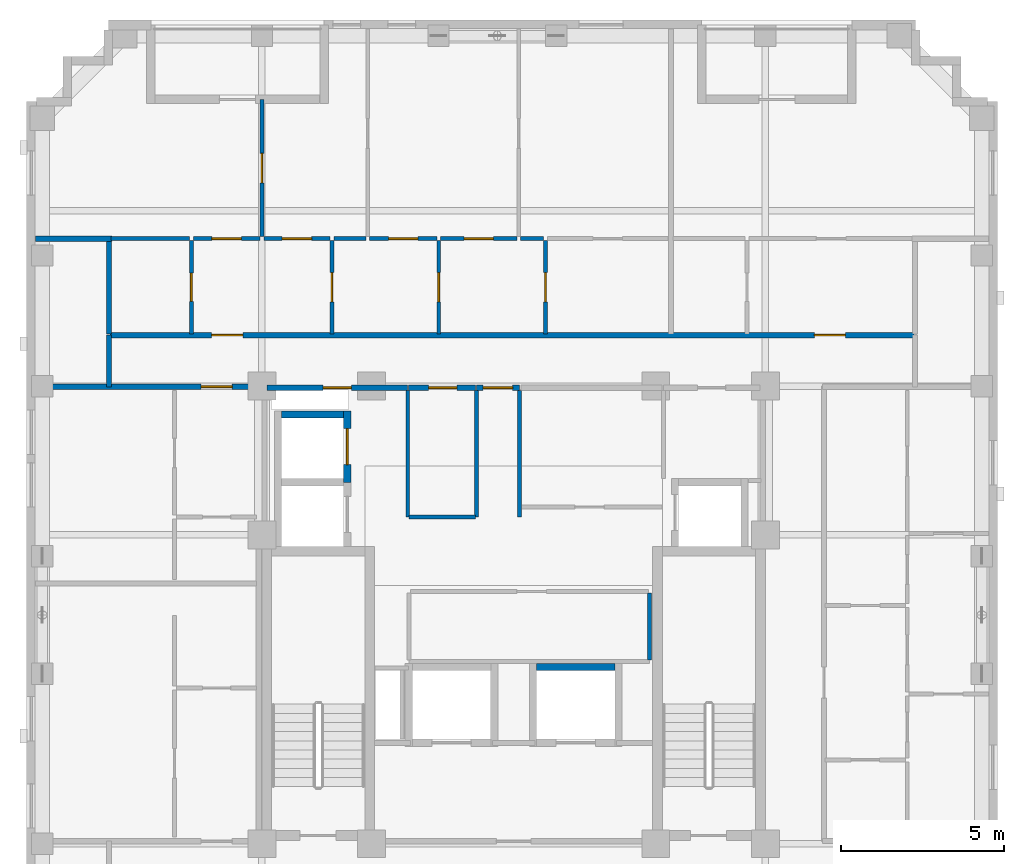
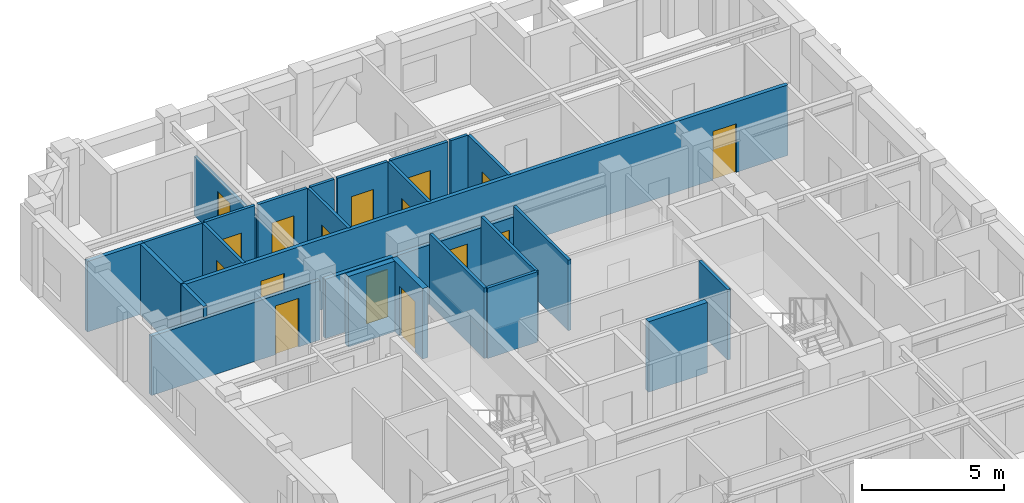
# One storey, part 5 of 10: 28 walls, 16 doors, 16 openings.
"""IFC4 building model written with IfcOpenShell, lengths in metres."""

import ifcopenshell
import ifcopenshell.guid

model = None  # the IFC model being written
_history = None  # IfcOwnerHistory: only IFC2X3 demands one
_inside = {}  # id of a spatial element -> (the spatial element, [elements in it])
_under = {}  # id of a project, library or spatial element -> (it, [spatial elements below it])
_declared = {}  # id of a project -> (the project, [libraries it declares])
_typed = {}  # id of a type object -> (the type object, [elements of that type])
_made_of = {}  # id of a material, layer set ... -> (it, [elements and type objects made of it])


def new_model(schema):
    """Start an empty IFC model of exactly this schema.

    Asked for "IFC4X3", IfcOpenShell would pick the latest addendum, in which some entities
    have other attributes; the version numbers below select the first issue.
    IFC2X3 requires an IfcOwnerHistory on every rooted entity: one is made here for all.
    """
    global model, _history
    if schema == "IFC4X3":
        model = ifcopenshell.file(schema_version=(4, 3, 0, 0))
    else:
        model = ifcopenshell.file(schema=schema)
    _inside.clear()
    _under.clear()
    _declared.clear()
    _typed.clear()
    _made_of.clear()
    _history = None
    if model.schema == "IFC2X3":
        org = make("IfcOrganization", Name="unknown")
        user = make(
            "IfcPersonAndOrganization",
            ThePerson=make("IfcPerson", FamilyName="unknown"),
            TheOrganization=org,
        )
        app = make(
            "IfcApplication",
            ApplicationDeveloper=org,
            Version="unknown",
            ApplicationFullName="unknown",
            ApplicationIdentifier="unknown",
        )
        _history = make(
            "IfcOwnerHistory",
            OwningUser=user,
            OwningApplication=app,
            ChangeAction="ADDED",
            CreationDate=0,
        )
    return model


def make(cls, **values):
    """One entity of the class cls with the attributes given. An attribute that is None is left unset."""
    return model.create_entity(
        cls, **{name: value for name, value in values.items() if value is not None}
    )


def rooted(cls, **values):
    """An entity with a GlobalId (a new one), such as an element, a storey or a relation."""
    return make(cls, GlobalId=ifcopenshell.guid.new(), OwnerHistory=_history, **values)


def si_unit(unit_type, name, prefix=None):
    """IfcSIUnit, for example si_unit("LENGTHUNIT", "METRE", prefix="MILLI")."""
    return make("IfcSIUnit", UnitType=unit_type, Prefix=prefix, Name=name)


def derived_unit(unit_type, elements):
    """IfcDerivedUnit: a product of units, each with its exponent."""
    return make(
        "IfcDerivedUnit",
        Elements=[
            make("IfcDerivedUnitElement", Unit=unit, Exponent=power)
            for unit, power in elements
        ],
        UnitType=unit_type,
    )


def assignment(units):
    """IfcUnitAssignment: the units of a project."""
    return None if units is None else make("IfcUnitAssignment", Units=units)


def point(xyz):
    """IfcCartesianPoint."""
    return None if xyz is None else make("IfcCartesianPoint", Coordinates=xyz)


def direction(xyz):
    """IfcDirection."""
    return None if xyz is None else make("IfcDirection", DirectionRatios=xyz)


def frame(location, z_axis=None, x_axis=None):
    """IfcAxis2Placement3D, a coordinate frame: its origin and axes. An axis left out is left unset."""
    return make(
        "IfcAxis2Placement3D",
        Location=point(location),
        Axis=direction(z_axis),
        RefDirection=direction(x_axis),
    )


def frame_2d(location, x_axis=None):
    """IfcAxis2Placement2D, a coordinate frame in the plane: its origin and x axis."""
    return make(
        "IfcAxis2Placement2D", Location=point(location), RefDirection=direction(x_axis)
    )


def origin():
    """The frame at (0, 0, 0) with its axes left unset."""
    return frame((0.0, 0.0, 0.0))


def place(relative_to, where):
    """IfcLocalPlacement: puts the frame where relative to a parent placement (None: the world)."""
    return make(
        "IfcLocalPlacement", PlacementRelTo=relative_to, RelativePlacement=where
    )


def context(
    kind, dimensions, precision=None, world=None, true_north=None, identifier=None
):
    """IfcGeometricRepresentationContext, for example the 3D "Model" context."""
    return make(
        "IfcGeometricRepresentationContext",
        ContextIdentifier=identifier,
        ContextType=kind,
        CoordinateSpaceDimension=dimensions,
        Precision=precision,
        WorldCoordinateSystem=world,
        TrueNorth=true_north,
    )


def subcontext(parent, identifier, kind, view, scale=None):
    """IfcGeometricRepresentationSubContext, for example "Body" below "Model"."""
    return make(
        "IfcGeometricRepresentationSubContext",
        ContextIdentifier=identifier,
        ContextType=kind,
        ParentContext=parent,
        TargetScale=scale,
        TargetView=view,
    )


def project(units=None, contexts=None):
    """IfcProject with its units and contexts."""
    return rooted(
        "IfcProject",
        Name="project",
        RepresentationContexts=contexts,
        UnitsInContext=assignment(units),
    )


def spatial(cls, under=None, at=None, **own):
    """A site, building, storey or space (cls), placed at a placement, below another one or the project."""
    s = rooted(cls, ObjectPlacement=at, **own)
    if under is not None:
        _under.setdefault(under.id(), (under, []))[1].append(s)
    return s


def profile(cls, at=None, kind="AREA", **sizes):
    """A parametric profile (cls). Its sizes go by their IFC names, for example OverallWidth=200.0."""
    return make(cls, ProfileType=kind, Position=at, **sizes)


def rectangle(**sizes):
    """IfcRectangleProfileDef."""
    return profile("IfcRectangleProfileDef", **sizes)


def extrude(swept, where, along, depth):
    """IfcExtrudedAreaSolid: the profile swept, set in the frame where, extruded along a direction by depth."""
    return make(
        "IfcExtrudedAreaSolid",
        SweptArea=swept,
        Position=where,
        ExtrudedDirection=direction(along),
        Depth=depth,
    )


def shape(context_of_items, identifier, shape_type, items):
    """IfcShapeRepresentation: the items that make up one representation, for example the "Body"."""
    return make(
        "IfcShapeRepresentation",
        ContextOfItems=context_of_items,
        RepresentationIdentifier=identifier,
        RepresentationType=shape_type,
        Items=items,
    )


def material(Name=None, Category=None):
    """IfcMaterial."""
    return make("IfcMaterial", Name=Name, Category=Category)


def layer(
    of_material, thickness, ventilated=None, Name=None, Category=None, Priority=None
):
    """IfcMaterialLayer: one layer of a wall or slab, of a material (None: an air gap)."""
    return make(
        "IfcMaterialLayer",
        Material=of_material,
        LayerThickness=thickness,
        IsVentilated=ventilated,
        Name=Name,
        Category=Category,
        Priority=Priority,
    )


def layer_set(layers, Name=None):
    """IfcMaterialLayerSet."""
    return make("IfcMaterialLayerSet", MaterialLayers=layers, LayerSetName=Name)


def made_of(thing, what):
    """Note that an element or type object is made of a material, layer set ...; save() writes the relation."""
    if what is not None:
        _made_of.setdefault(what.id(), (what, []))[1].append(thing)
    return thing


def type_object(cls, material=None, **own):
    """A type object (cls), such as IfcWallType, which elements share."""
    return made_of(rooted(cls, **own), material)


def element(
    cls,
    number,
    at=None,
    inside=None,
    cuts=None,
    type_object=None,
    material=None,
    context=None,
    identifier="Body",
    shape_type=None,
    held_by="IfcProductDefinitionShape",
    body=None,
    shapes=None,
    **own,
):
    """One element of the class cls, such as IfcWall. Its Tag is "e" and its number.

    at: its placement. inside: the storey or other place that contains it. cuts: it is an
    opening in that element (IfcRelVoidsElement). A single representation is given by context,
    identifier, shape_type and body (its items); several are given by shapes. held_by: the class
    of the entity that holds the representations. save() writes the other relations.
    """
    e = rooted(cls, Tag="e%d" % number, ObjectPlacement=at, **own)
    if body is not None:
        shapes = [shape(context, identifier, shape_type, body)]
    if shapes is not None:
        e.Representation = make(held_by, Representations=shapes)
    if inside is not None:
        _inside.setdefault(inside.id(), (inside, []))[1].append(e)
    if cuts is not None:
        rooted(
            "IfcRelVoidsElement", RelatingBuildingElement=cuts, RelatedOpeningElement=e
        )
    if type_object is not None:
        _typed.setdefault(type_object.id(), (type_object, []))[1].append(e)
    return made_of(e, material)


def fill(opening, filler):
    """IfcRelFillsElement: the door or window that sits in an opening."""
    return rooted(
        "IfcRelFillsElement",
        RelatingOpeningElement=opening,
        RelatedBuildingElement=filler,
    )


def aggregate(whole, parts):
    """IfcRelAggregates: a whole, such as a stair, and the parts it consists of."""
    return rooted("IfcRelAggregates", RelatingObject=whole, RelatedObjects=parts)


def save(model, path):
    """Write the relations noted so far, then the file.

    IfcRelAggregates (storeys below a building ...), IfcRelContainedInSpatialStructure (elements
    in a storey), IfcRelDefinesByType, IfcRelAssociatesMaterial and IfcRelDeclares: one each for
    every whole, place, type object, material and project.
    """
    for whole, parts in _under.values():
        aggregate(whole, parts)
    for where, things in _inside.values():
        rooted(
            "IfcRelContainedInSpatialStructure",
            RelatedElements=things,
            RelatingStructure=where,
        )
    for kind, things in _typed.values():
        rooted("IfcRelDefinesByType", RelatedObjects=things, RelatingType=kind)
    for what, things in _made_of.values():
        rooted("IfcRelAssociatesMaterial", RelatedObjects=things, RelatingMaterial=what)
    for by, libraries in _declared.values():
        rooted("IfcRelDeclares", RelatingContext=by, RelatedDefinitions=libraries)
    model.write(path)


model = new_model("IFC4")

# Units and contexts
model_context = context("Model", 3, precision=1e-05, world=origin(), true_north=direction((0.0, 1.0)))
body_context = subcontext(model_context, "Body", "Model", "MODEL_VIEW")
ifc_project = project(units=[si_unit("LENGTHUNIT", "METRE"), si_unit("AREAUNIT", "SQUARE_METRE"), si_unit("VOLUMEUNIT", "CUBIC_METRE"), si_unit("PLANEANGLEUNIT", "RADIAN"), si_unit("MASSUNIT", "GRAM", prefix="KILO"), derived_unit("THERMALTRANSMITTANCEUNIT", [(si_unit("MASSUNIT", "GRAM", prefix="KILO"), 1), (si_unit("TIMEUNIT", "SECOND"), -3), (si_unit("THERMODYNAMICTEMPERATUREUNIT", "KELVIN"), -1)])], contexts=[model_context])

# Site, building, storey
site_placement = place(None, origin())
site = spatial("IfcSite", under=ifc_project, at=site_placement, CompositionType="ELEMENT")
building_placement = place(site_placement, origin())
building = spatial("IfcBuilding", under=site, at=building_placement, Name="Korrvale Station Residences", CompositionType="ELEMENT")
storey_placement = place(building_placement, frame((0.0, 0.0, 207.39990234375)))
storey = spatial("IfcBuildingStorey", under=building, at=storey_placement, Name="L60", CompositionType="ELEMENT", Elevation=207.39990234375)

# Walls
ifc_material_1 = material(Name="Acoustic steel-stud gypsum board partition", Category="steel")
ifc_layer_1 = layer(ifc_material_1, 0.1201171875, Name="Acoustic steel-stud gypsum board partition")
ifc_layer_set_1 = layer_set([ifc_layer_1], Name="Acoustic steel-stud gypsum board partition")
wall_type_1 = type_object("IfcWallType", Name="WAL-PART-125", PredefinedType="PARTITIONING", material=ifc_layer_set_1)
for number, where, z_axis, x_axis, name in (
    (1, (24.360107421875, 25.0, 0.0), (0.0, 0.0, 1.0), (0.0, 1.0, 0.0), "L60 Core Partition CW-PSG-W"),
    (2, (25.679931640625, 25.0, 0.0), (0.0, 0.0, 1.0), (0.0, 1.0, 0.0), "L60 Core Partition CW-PSG-E"),
):
    element("IfcWall", number, at=place(storey_placement, frame(where, z_axis=z_axis, x_axis=x_axis)), inside=storey, type_object=wall_type_1, Name=name, PredefinedType="PARTITIONING", context=body_context, shape_type="SweptSolid", body=[
        extrude(rectangle(XDim=3.8701171875, YDim=0.1201171875, at=frame_2d((1.93505859375, 0.0))), origin(), (0.0, 0.0, 1.0), 3.0400390625),
    ])
wall_1_placement = place(storey_placement, frame((22.260009765625, 25.0, 0.0), z_axis=(0.0, 0.0, 1.0), x_axis=(0.0, 1.0, 0.0)))
element("IfcWall", 3, at=wall_1_placement, inside=storey, type_object=wall_type_1, Name="L60 Core Partition CW-FPLW-W", PredefinedType="PARTITIONING", context=body_context, shape_type="SweptSolid", body=[
    extrude(rectangle(XDim=3.860107421875, YDim=0.1201171875, at=frame_2d((1.93017578125, 0.0))), origin(), (0.0, 0.0, 1.0), 3.0400390625),
])
wall_2_placement = place(storey_placement, frame((22.300048828125, 25.0, 0.0), z_axis=(0.0, 0.0, 1.0), x_axis=(1.0, 0.0, 0.0)))
element("IfcWall", 4, at=wall_2_placement, inside=storey, type_object=wall_type_1, Name="L60 Core Partition CW-FPLW-S", PredefinedType="PARTITIONING", context=body_context, shape_type="SweptSolid", body=[
    extrude(rectangle(XDim=2.0400390625, YDim=0.1201171875, at=frame_2d((1.02001953125, 0.0))), origin(), (0.0, 0.0, 1.0), 3.0400390625),
])
wall_3_placement = place(storey_placement, frame((29.659912109375, 20.6201171875, 0.0), z_axis=(0.0, 0.0, 1.0), x_axis=(0.0, 1.0, 0.0)))
element("IfcWall", 5, at=wall_3_placement, inside=storey, type_object=wall_type_1, Name="L60 Core Partition CW-FPM-E", PredefinedType="PARTITIONING", context=body_context, shape_type="SweptSolid", body=[
    extrude(rectangle(XDim=2.059814453125, YDim=0.1201171875, at=frame_2d((1.02978515625, 0.0))), origin(), (0.0, 0.0, 1.0), 3.0400390625),
])

# Wall, opening, door
wall_4_placement = place(storey_placement, frame((15.639892578125, 30.60009765625, 0.0), z_axis=(0.0, 0.0, 1.0), x_axis=(0.0, 1.0, 0.0)))
wall_4 = element("IfcWall", 6, at=wall_4_placement, inside=storey, type_object=wall_type_1, Name="L60 Suite Partition U04-V01", PredefinedType="PARTITIONING", context=body_context, shape_type="SweptSolid", body=[
    extrude(rectangle(XDim=2.849853515625, YDim=0.1201171875, at=frame_2d((1.4248046875, 0.0))), origin(), (0.0, 0.0, 1.0), 3.0400390625),
])
opening_1_placement = place(wall_4_placement, frame((0.9951171875, 0.0, 0.0)))
opening_1 = element("IfcOpeningElement", 7, at=opening_1_placement, cuts=wall_4, Name="Opening DB-860", PredefinedType="OPENING", context=body_context, shape_type="SweptSolid", body=[
    extrude(rectangle(XDim=0.860107421875, YDim=2.050048828125, at=frame_2d((0.43017578125, 1.02490234375))), frame((0.0, 0.070068359375, 0.0), z_axis=(0.0, -1.0, 0.0), x_axis=(1.0, 0.0, 0.0)), (0.0, 0.0, 1.0), 0.14013671875),
])
ifc_material_2 = material(Name="Moisture-resistant solid-core bathroom door", Category="timber")
door_type_1 = type_object("IfcDoorType", Name="DR-BATH-860", OperationType="NOTDEFINED", PredefinedType="DOOR", material=ifc_material_2)
door_1_placement = place(opening_1_placement, origin())
door_1 = element("IfcDoor", 8, at=door_1_placement, inside=storey, type_object=door_type_1, Name="L60 Apartment 2BR L60-U04 Bathroom Door", OperationType="SINGLE_SWING_LEFT", OverallHeight=2.050048828125, OverallWidth=0.860107421875, PredefinedType="DOOR", context=body_context, shape_type="SweptSolid", body=[
    extrude(rectangle(XDim=0.860107421875, YDim=2.050048828125, at=frame_2d((0.43017578125, 1.02490234375))), frame((0.0, 0.02490234375, 0.0), z_axis=(0.0, -1.0, 0.0), x_axis=(1.0, 0.0, 0.0)), (0.0, 0.0, 1.0), 0.050048828125),
])
fill(opening_1, door_1)

# Wall
wall_5_placement = place(storey_placement, frame((13.179931640625, 33.510009765625, 0.0), z_axis=(0.0, 0.0, 1.0), x_axis=(1.0, 0.0, 0.0)))
element("IfcWall", 9, at=wall_5_placement, inside=storey, type_object=wall_type_1, Name="L60 Suite Partition U04-H05", PredefinedType="PARTITIONING", context=body_context, shape_type="SweptSolid", body=[
    extrude(rectangle(XDim=2.400146484375, YDim=0.1201171875, at=frame_2d((1.2001953125, 0.0))), origin(), (0.0, 0.0, 1.0), 3.0400390625),
])

# Wall, opening, door
wall_6_placement = place(storey_placement, frame((19.93994140625, 30.60009765625, 0.0), z_axis=(0.0, 0.0, 1.0), x_axis=(0.0, 1.0, 0.0)))
wall_6 = element("IfcWall", 10, at=wall_6_placement, inside=storey, type_object=wall_type_1, Name="L60 Suite Partition U04-V12", PredefinedType="PARTITIONING", context=body_context, shape_type="SweptSolid", body=[
    extrude(rectangle(XDim=2.849853515625, YDim=0.1201171875, at=frame_2d((1.4248046875, 0.0))), origin(), (0.0, 0.0, 1.0), 3.0400390625),
])
opening_2_placement = place(wall_6_placement, frame((0.97509765625, 0.0, 0.0)))
opening_2 = element("IfcOpeningElement", 11, at=opening_2_placement, cuts=wall_6, Name="Opening DI-900", PredefinedType="OPENING", context=body_context, shape_type="SweptSolid", body=[
    extrude(rectangle(XDim=0.89990234375, YDim=2.050048828125, at=frame_2d((0.449951171875, 1.02490234375))), frame((0.0, 0.070068359375, 0.0), z_axis=(0.0, -1.0, 0.0), x_axis=(1.0, 0.0, 0.0)), (0.0, 0.0, 1.0), 0.14013671875),
])
ifc_material_3 = material(Name="Painted solid-core timber interior room door", Category="wood")
door_type_2 = type_object("IfcDoorType", Name="DR-INT-900", OperationType="NOTDEFINED", PredefinedType="DOOR", material=ifc_material_3)
door_2_placement = place(opening_2_placement, origin())
door_2 = element("IfcDoor", 12, at=door_2_placement, inside=storey, type_object=door_type_2, Name="L60 Apartment 2BR L60-U04 Kitchen Door", OperationType="SINGLE_SWING_RIGHT", OverallHeight=2.050048828125, OverallWidth=0.89990234375, PredefinedType="DOOR", context=body_context, shape_type="SweptSolid", body=[
    extrude(rectangle(XDim=0.89990234375, YDim=2.050048828125, at=frame_2d((0.449951171875, 1.02490234375))), frame((0.0, 0.02490234375, 0.0), z_axis=(0.0, -1.0, 0.0), x_axis=(1.0, 0.0, 0.0)), (0.0, 0.0, 1.0), 0.050048828125),
])
fill(opening_2, door_2)

wall_7_placement = place(storey_placement, frame((15.699951171875, 33.510009765625, 0.0), z_axis=(0.0, 0.0, 1.0), x_axis=(1.0, 0.0, 0.0)))
wall_7 = element("IfcWall", 13, at=wall_7_placement, inside=storey, type_object=wall_type_1, Name="L60 Suite Partition U04-H15", PredefinedType="PARTITIONING", context=body_context, shape_type="SweptSolid", body=[
    extrude(rectangle(XDim=2.0400390625, YDim=0.1201171875, at=frame_2d((1.02001953125, 0.0))), origin(), (0.0, 0.0, 1.0), 3.0400390625),
])
opening_3_placement = place(wall_7_placement, frame((0.570068359375, 0.0, 0.0)))
opening_3 = element("IfcOpeningElement", 14, at=opening_3_placement, cuts=wall_7, Name="Opening DI-900", PredefinedType="OPENING", context=body_context, shape_type="SweptSolid", body=[
    extrude(rectangle(XDim=0.89990234375, YDim=2.050048828125, at=frame_2d((0.449951171875, 1.02490234375))), frame((0.0, 0.070068359375, 0.0), z_axis=(0.0, -1.0, 0.0), x_axis=(1.0, 0.0, 0.0)), (0.0, 0.0, 1.0), 0.14013671875),
])
door_3_placement = place(opening_3_placement, origin())
door_3 = element("IfcDoor", 15, at=door_3_placement, inside=storey, type_object=door_type_2, Name="L60 Apartment 2BR L60-U04 Kitchen Door", OperationType="SINGLE_SWING_LEFT", OverallHeight=2.050048828125, OverallWidth=0.89990234375, PredefinedType="DOOR", context=body_context, shape_type="SweptSolid", body=[
    extrude(rectangle(XDim=0.89990234375, YDim=2.050048828125, at=frame_2d((0.449951171875, 1.02490234375))), frame((0.0, 0.02490234375, 0.0), z_axis=(0.0, -1.0, 0.0), x_axis=(1.0, 0.0, 0.0)), (0.0, 0.0, 1.0), 0.050048828125),
])
fill(opening_3, door_3)

wall_8_placement = place(storey_placement, frame((17.860107421875, 33.510009765625, 0.0), z_axis=(0.0, 0.0, 1.0), x_axis=(1.0, 0.0, 0.0)))
wall_8 = element("IfcWall", 16, at=wall_8_placement, inside=storey, type_object=wall_type_1, Name="L60 Suite Partition U04-H16", PredefinedType="PARTITIONING", context=body_context, shape_type="SweptSolid", body=[
    extrude(rectangle(XDim=2.019775390625, YDim=0.1201171875, at=frame_2d((1.009765625, 0.0))), origin(), (0.0, 0.0, 1.0), 3.0400390625),
])
opening_4_placement = place(wall_8_placement, frame((0.56005859375, 0.0, 0.0)))
opening_4 = element("IfcOpeningElement", 17, at=opening_4_placement, cuts=wall_8, Name="Opening DI-900", PredefinedType="OPENING", context=body_context, shape_type="SweptSolid", body=[
    extrude(rectangle(XDim=0.89990234375, YDim=2.050048828125, at=frame_2d((0.449951171875, 1.02490234375))), frame((0.0, 0.070068359375, 0.0), z_axis=(0.0, -1.0, 0.0), x_axis=(1.0, 0.0, 0.0)), (0.0, 0.0, 1.0), 0.14013671875),
])
door_4_placement = place(opening_4_placement, origin())
door_4 = element("IfcDoor", 18, at=door_4_placement, inside=storey, type_object=door_type_2, Name="L60 Apartment 2BR L60-U04 Kitchen Door", OperationType="SINGLE_SWING_RIGHT", OverallHeight=2.050048828125, OverallWidth=0.89990234375, PredefinedType="DOOR", context=body_context, shape_type="SweptSolid", body=[
    extrude(rectangle(XDim=0.89990234375, YDim=2.050048828125, at=frame_2d((0.449951171875, 1.02490234375))), frame((0.0, 0.02490234375, 0.0), z_axis=(0.0, -1.0, 0.0), x_axis=(1.0, 0.0, 0.0)), (0.0, 0.0, 1.0), 0.050048828125),
])
fill(opening_4, door_4)

wall_9_placement = place(storey_placement, frame((23.2099609375, 30.60009765625, 0.0), z_axis=(0.0, 0.0, 1.0), x_axis=(0.0, 1.0, 0.0)))
wall_9 = element("IfcWall", 19, at=wall_9_placement, inside=storey, type_object=wall_type_1, Name="L60 Suite Partition U04-V23", PredefinedType="PARTITIONING", context=body_context, shape_type="SweptSolid", body=[
    extrude(rectangle(XDim=2.849853515625, YDim=0.1201171875, at=frame_2d((1.4248046875, 0.0))), origin(), (0.0, 0.0, 1.0), 3.0400390625),
])
opening_5_placement = place(wall_9_placement, frame((0.97509765625, 0.0, 0.0)))
opening_5 = element("IfcOpeningElement", 20, at=opening_5_placement, cuts=wall_9, Name="Opening DI-900", PredefinedType="OPENING", context=body_context, shape_type="SweptSolid", body=[
    extrude(rectangle(XDim=0.89990234375, YDim=2.050048828125, at=frame_2d((0.449951171875, 1.02490234375))), frame((0.0, 0.070068359375, 0.0), z_axis=(0.0, -1.0, 0.0), x_axis=(1.0, 0.0, 0.0)), (0.0, 0.0, 1.0), 0.14013671875),
])
door_5_placement = place(opening_5_placement, origin())
door_5 = element("IfcDoor", 21, at=door_5_placement, inside=storey, type_object=door_type_2, Name="L60 Apartment 2BR L60-U04 Home Study Room Door", OperationType="SINGLE_SWING_LEFT", OverallHeight=2.050048828125, OverallWidth=0.89990234375, PredefinedType="DOOR", context=body_context, shape_type="SweptSolid", body=[
    extrude(rectangle(XDim=0.89990234375, YDim=2.050048828125, at=frame_2d((0.449951171875, 1.02490234375))), frame((0.0, 0.02490234375, 0.0), z_axis=(0.0, -1.0, 0.0), x_axis=(1.0, 0.0, 0.0)), (0.0, 0.0, 1.0), 0.050048828125),
])
fill(opening_5, door_5)

# Wall
wall_10_placement = place(storey_placement, frame((20.0, 33.510009765625, 0.0), z_axis=(0.0, 0.0, 1.0), x_axis=(1.0, 0.0, 0.0)))
element("IfcWall", 22, at=wall_10_placement, inside=storey, type_object=wall_type_1, Name="L60 Suite Partition U04-H26", PredefinedType="PARTITIONING", context=body_context, shape_type="SweptSolid", body=[
    extrude(rectangle(XDim=0.97705078125, YDim=0.1201171875, at=frame_2d((0.488525390625, 0.0))), origin(), (0.0, 0.0, 1.0), 3.0400390625),
])

# Wall, opening, door
wall_11_placement = place(storey_placement, frame((21.096923828125, 33.510009765625, 0.0), z_axis=(0.0, 0.0, 1.0), x_axis=(1.0, 0.0, 0.0)))
wall_11 = element("IfcWall", 23, at=wall_11_placement, inside=storey, type_object=wall_type_1, Name="L60 Suite Partition U04-H27", PredefinedType="PARTITIONING", context=body_context, shape_type="SweptSolid", body=[
    extrude(rectangle(XDim=2.052978515625, YDim=0.1201171875, at=frame_2d((1.0263671875, 0.0))), origin(), (0.0, 0.0, 1.0), 3.0400390625),
])
opening_6_placement = place(wall_11_placement, frame((0.575927734375, 0.0, 0.0)))
opening_6 = element("IfcOpeningElement", 24, at=opening_6_placement, cuts=wall_11, Name="Opening DI-900", PredefinedType="OPENING", context=body_context, shape_type="SweptSolid", body=[
    extrude(rectangle(XDim=0.89990234375, YDim=2.050048828125, at=frame_2d((0.449951171875, 1.02490234375))), frame((0.0, 0.070068359375, 0.0), z_axis=(0.0, -1.0, 0.0), x_axis=(1.0, 0.0, 0.0)), (0.0, 0.0, 1.0), 0.14013671875),
])
door_6_placement = place(opening_6_placement, origin())
door_6 = element("IfcDoor", 25, at=door_6_placement, inside=storey, type_object=door_type_2, Name="L60 Apartment 2BR L60-U04 Home Study Room Door", OperationType="SINGLE_SWING_RIGHT", OverallHeight=2.050048828125, OverallWidth=0.89990234375, PredefinedType="DOOR", context=body_context, shape_type="SweptSolid", body=[
    extrude(rectangle(XDim=0.89990234375, YDim=2.050048828125, at=frame_2d((0.449951171875, 1.02490234375))), frame((0.0, 0.02490234375, 0.0), z_axis=(0.0, -1.0, 0.0), x_axis=(1.0, 0.0, 0.0)), (0.0, 0.0, 1.0), 0.050048828125),
])
fill(opening_6, door_6)

wall_12_placement = place(storey_placement, frame((26.47998046875, 30.60009765625, 0.0), z_axis=(0.0, 0.0, 1.0), x_axis=(0.0, 1.0, 0.0)))
wall_12 = element("IfcWall", 26, at=wall_12_placement, inside=storey, type_object=wall_type_1, Name="L60 Suite Partition U04-V34", PredefinedType="PARTITIONING", context=body_context, shape_type="SweptSolid", body=[
    extrude(rectangle(XDim=2.849853515625, YDim=0.1201171875, at=frame_2d((1.4248046875, 0.0))), origin(), (0.0, 0.0, 1.0), 3.0400390625),
])
opening_7_placement = place(wall_12_placement, frame((0.97509765625, 0.0, 0.0)))
opening_7 = element("IfcOpeningElement", 27, at=opening_7_placement, cuts=wall_12, Name="Opening DI-900", PredefinedType="OPENING", context=body_context, shape_type="SweptSolid", body=[
    extrude(rectangle(XDim=0.89990234375, YDim=2.050048828125, at=frame_2d((0.449951171875, 1.02490234375))), frame((0.0, 0.070068359375, 0.0), z_axis=(0.0, -1.0, 0.0), x_axis=(1.0, 0.0, 0.0)), (0.0, 0.0, 1.0), 0.14013671875),
])
door_7_placement = place(opening_7_placement, origin())
door_7 = element("IfcDoor", 28, at=door_7_placement, inside=storey, type_object=door_type_2, Name="L60 Apartment 2BR L60-U04 Home Study Room Door", OperationType="SINGLE_SWING_LEFT", OverallHeight=2.050048828125, OverallWidth=0.89990234375, PredefinedType="DOOR", context=body_context, shape_type="SweptSolid", body=[
    extrude(rectangle(XDim=0.89990234375, YDim=2.050048828125, at=frame_2d((0.449951171875, 1.02490234375))), frame((0.0, 0.02490234375, 0.0), z_axis=(0.0, -1.0, 0.0), x_axis=(1.0, 0.0, 0.0)), (0.0, 0.0, 1.0), 0.050048828125),
])
fill(opening_7, door_7)

wall_13_placement = place(storey_placement, frame((23.27001953125, 33.510009765625, 0.0), z_axis=(0.0, 0.0, 1.0), x_axis=(1.0, 0.0, 0.0)))
wall_13 = element("IfcWall", 29, at=wall_13_placement, inside=storey, type_object=wall_type_1, Name="L60 Suite Partition U04-H37", PredefinedType="PARTITIONING", context=body_context, shape_type="SweptSolid", body=[
    extrude(rectangle(XDim=2.326904296875, YDim=0.1201171875, at=frame_2d((1.16357421875, 0.0))), origin(), (0.0, 0.0, 1.0), 3.0400390625),
])
opening_8_placement = place(wall_13_placement, frame((0.714111328125, 0.0, 0.0)))
opening_8 = element("IfcOpeningElement", 30, at=opening_8_placement, cuts=wall_13, Name="Opening DI-900", PredefinedType="OPENING", context=body_context, shape_type="SweptSolid", body=[
    extrude(rectangle(XDim=0.89990234375, YDim=2.050048828125, at=frame_2d((0.449951171875, 1.02490234375))), frame((0.0, 0.070068359375, 0.0), z_axis=(0.0, -1.0, 0.0), x_axis=(1.0, 0.0, 0.0)), (0.0, 0.0, 1.0), 0.14013671875),
])
door_8_placement = place(opening_8_placement, origin())
door_8 = element("IfcDoor", 31, at=door_8_placement, inside=storey, type_object=door_type_2, Name="L60 Apartment 2BR L60-U04 Home Study Room Door", OperationType="SINGLE_SWING_RIGHT", OverallHeight=2.050048828125, OverallWidth=0.89990234375, PredefinedType="DOOR", context=body_context, shape_type="SweptSolid", body=[
    extrude(rectangle(XDim=0.89990234375, YDim=2.050048828125, at=frame_2d((0.449951171875, 1.02490234375))), frame((0.0, 0.02490234375, 0.0), z_axis=(0.0, -1.0, 0.0), x_axis=(1.0, 0.0, 0.0)), (0.0, 0.0, 1.0), 0.050048828125),
])
fill(opening_8, door_8)

# Wall
wall_14_placement = place(storey_placement, frame((25.717041015625, 33.510009765625, 0.0), z_axis=(0.0, 0.0, 1.0), x_axis=(1.0, 0.0, 0.0)))
element("IfcWall", 32, at=wall_14_placement, inside=storey, type_object=wall_type_1, Name="L60 Suite Partition U04-H38", PredefinedType="PARTITIONING", context=body_context, shape_type="SweptSolid", body=[
    extrude(rectangle(XDim=0.702880859375, YDim=0.1201171875, at=frame_2d((0.3515625, 0.0))), origin(), (0.0, 0.0, 1.0), 3.0400390625),
])

# Wall, opening, door
wall_15_placement = place(storey_placement, frame((17.800048828125, 33.570068359375, 0.0), z_axis=(0.0, 0.0, 1.0), x_axis=(0.0, 1.0, 0.0)))
wall_15 = element("IfcWall", 33, at=wall_15_placement, inside=storey, type_object=wall_type_1, Name="L60 Suite Partition U04-V56", PredefinedType="PARTITIONING", context=body_context, shape_type="SweptSolid", body=[
    extrude(rectangle(XDim=4.199951171875, YDim=0.1201171875, at=frame_2d((2.10009765625, 0.0))), origin(), (0.0, 0.0, 1.0), 2.55615234375),
])
opening_9_placement = place(wall_15_placement, frame((1.64990234375, 0.0, 0.0)))
opening_9 = element("IfcOpeningElement", 34, at=opening_9_placement, cuts=wall_15, Name="Opening DI-900", PredefinedType="OPENING", context=body_context, shape_type="SweptSolid", body=[
    extrude(rectangle(XDim=0.89990234375, YDim=2.050048828125, at=frame_2d((0.449951171875, 1.02490234375))), frame((0.0, 0.070068359375, 0.0), z_axis=(0.0, -1.0, 0.0), x_axis=(1.0, 0.0, 0.0)), (0.0, 0.0, 1.0), 0.14013671875),
])
door_9_placement = place(opening_9_placement, origin())
door_9 = element("IfcDoor", 35, at=door_9_placement, inside=storey, type_object=door_type_2, Name="L60 Apartment 2BR L60-U04 Living and Dining Room Door", OperationType="SINGLE_SWING_RIGHT", OverallHeight=2.050048828125, OverallWidth=0.89990234375, PredefinedType="DOOR", context=body_context, shape_type="SweptSolid", body=[
    extrude(rectangle(XDim=0.89990234375, YDim=2.050048828125, at=frame_2d((0.449951171875, 1.02490234375))), frame((0.0, 0.02490234375, 0.0), z_axis=(0.0, -1.0, 0.0), x_axis=(1.0, 0.0, 0.0)), (0.0, 0.0, 1.0), 0.050048828125),
])
fill(opening_9, door_9)

ifc_material_4 = material(Name="Fire-rated twin-stud gypsum and mineral wool shaftwall assembly", Category="gypsum")
ifc_layer_2 = layer(ifc_material_4, 0.159912109375, Name="Fire-rated twin-stud gypsum and mineral wool shaftwall assembly")
ifc_layer_set_2 = layer_set([ifc_layer_2], Name="Fire-rated twin-stud gypsum and mineral wool shaftwall assembly")
wall_type_2 = type_object("IfcWallType", Name="WAL-PART-200", PredefinedType="PARTITIONING", material=ifc_layer_set_2)
wall_16_placement = place(storey_placement, frame((24.360107421875, 28.949951171875, 0.0), z_axis=(0.0, 0.0, 1.0), x_axis=(1.0, 0.0, 0.0)))
wall_16 = element("IfcWall", 36, at=wall_16_placement, inside=storey, type_object=wall_type_2, Name="L60 Core Partition CW-LLOB-N", PredefinedType="PARTITIONING", context=body_context, shape_type="SweptSolid", body=[
    extrude(rectangle(XDim=1.31982421875, YDim=0.159912109375, at=frame_2d((0.659912109375, 0.0))), origin(), (0.0, 0.0, 1.0), 2.55615234375),
])
opening_10_placement = place(wall_16_placement, frame((0.2099609375, 0.0, 0.0)))
opening_10 = element("IfcOpeningElement", 37, at=opening_10_placement, cuts=wall_16, Name="Opening DI-900", PredefinedType="OPENING", context=body_context, shape_type="SweptSolid", body=[
    extrude(rectangle(XDim=0.89990234375, YDim=2.050048828125, at=frame_2d((0.449951171875, 1.02490234375))), frame((0.0, 0.08984375, 0.0), z_axis=(0.0, -1.0, 0.0), x_axis=(1.0, 0.0, 0.0)), (0.0, 0.0, 1.0), 0.179931640625),
])
door_10_placement = place(opening_10_placement, origin())
door_10 = element("IfcDoor", 38, at=door_10_placement, inside=storey, type_object=door_type_2, Name="L60 Central Hallway North Passage Door", OperationType="SINGLE_SWING_LEFT", OverallHeight=2.050048828125, OverallWidth=0.89990234375, PredefinedType="DOOR", context=body_context, shape_type="SweptSolid", body=[
    extrude(rectangle(XDim=0.89990234375, YDim=2.050048828125, at=frame_2d((0.449951171875, 1.02490234375))), frame((0.0, 0.02490234375, 0.0), z_axis=(0.0, -1.0, 0.0), x_axis=(1.0, 0.0, 0.0)), (0.0, 0.0, 1.0), 0.050048828125),
])
fill(opening_10, door_10)

wall_17_placement = place(storey_placement, frame((17.9599609375, 28.949951171875, 0.0), z_axis=(0.0, 0.0, 1.0), x_axis=(1.0, 0.0, 0.0)))
wall_17 = element("IfcWall", 39, at=wall_17_placement, inside=storey, type_object=wall_type_2, Name="L60 Core Partition CW-NW", PredefinedType="PARTITIONING", context=body_context, shape_type="SweptSolid", body=[
    extrude(rectangle(XDim=4.2900390625, YDim=0.159912109375, at=frame_2d((2.14501953125, 0.0))), origin(), (0.0, 0.0, 1.0), 2.55615234375),
])
opening_11_placement = place(wall_17_placement, frame((1.715087890625, 0.0, 0.0)))
opening_11 = element("IfcOpeningElement", 40, at=opening_11_placement, cuts=wall_17, Name="Opening DB-860", PredefinedType="OPENING", context=body_context, shape_type="SweptSolid", body=[
    extrude(rectangle(XDim=0.860107421875, YDim=2.050048828125, at=frame_2d((0.43017578125, 1.02490234375))), frame((0.0, 0.08984375, 0.0), z_axis=(0.0, -1.0, 0.0), x_axis=(1.0, 0.0, 0.0)), (0.0, 0.0, 1.0), 0.179931640625),
])
door_11_placement = place(opening_11_placement, origin())
door_11 = element("IfcDoor", 41, at=door_11_placement, inside=storey, type_object=door_type_1, Name="L60 Electrical Riser Access Door", OperationType="SINGLE_SWING_RIGHT", OverallHeight=2.050048828125, OverallWidth=0.860107421875, PredefinedType="DOOR", context=body_context, shape_type="SweptSolid", body=[
    extrude(rectangle(XDim=0.860107421875, YDim=2.050048828125, at=frame_2d((0.43017578125, 1.02490234375))), frame((0.0, 0.02490234375, 0.0), z_axis=(0.0, -1.0, 0.0), x_axis=(1.0, 0.0, 0.0)), (0.0, 0.0, 1.0), 0.050048828125),
])
fill(opening_11, door_11)

wall_18_placement = place(storey_placement, frame((22.280029296875, 28.949951171875, 0.0), z_axis=(0.0, 0.0, 1.0), x_axis=(1.0, 0.0, 0.0)))
wall_18 = element("IfcWall", 42, at=wall_18_placement, inside=storey, type_object=wall_type_2, Name="L60 Core Partition CW-FPLW-N", PredefinedType="PARTITIONING", context=body_context, shape_type="SweptSolid", body=[
    extrude(rectangle(XDim=2.06005859375, YDim=0.159912109375, at=frame_2d((1.030029296875, 0.0))), origin(), (0.0, 0.0, 1.0), 2.55615234375),
])
opening_12_placement = place(wall_18_placement, frame((0.6201171875, 0.0, 0.0)))
opening_12 = element("IfcOpeningElement", 43, at=opening_12_placement, cuts=wall_18, Name="Opening DB-860", PredefinedType="OPENING", context=body_context, shape_type="SweptSolid", body=[
    extrude(rectangle(XDim=0.860107421875, YDim=2.050048828125, at=frame_2d((0.43017578125, 1.02490234375))), frame((0.0, 0.08984375, 0.0), z_axis=(0.0, -1.0, 0.0), x_axis=(1.0, 0.0, 0.0)), (0.0, 0.0, 1.0), 0.179931640625),
])
door_12_placement = place(opening_12_placement, origin())
door_12 = element("IfcDoor", 44, at=door_12_placement, inside=storey, type_object=door_type_1, Name="L60 Resident Parcel Room Door", OperationType="SINGLE_SWING_RIGHT", OverallHeight=2.050048828125, OverallWidth=0.860107421875, PredefinedType="DOOR", context=body_context, shape_type="SweptSolid", body=[
    extrude(rectangle(XDim=0.860107421875, YDim=2.050048828125, at=frame_2d((0.43017578125, 1.02490234375))), frame((0.0, 0.02490234375, 0.0), z_axis=(0.0, -1.0, 0.0), x_axis=(1.0, 0.0, 0.0)), (0.0, 0.0, 1.0), 0.050048828125),
])
fill(opening_12, door_12)

# Walls
wall_19_placement = place(storey_placement, frame((13.1201171875, 28.97998046875, 0.0), z_axis=(0.0, 0.0, 1.0), x_axis=(0.0, 1.0, 0.0)))
element("IfcWall", 45, at=wall_19_placement, inside=storey, type_object=wall_type_2, Name="L60 Corridor North West Cap", PredefinedType="PARTITIONING", context=body_context, shape_type="SweptSolid", body=[
    extrude(rectangle(XDim=1.580078125, YDim=0.159912109375, at=frame_2d((0.7900390625, 0.0))), origin(), (0.0, 0.0, 1.0), 3.0400390625),
])
wall_20_placement = place(storey_placement, frame((10.8798828125, 33.510009765625, 0.0), z_axis=(0.0, 0.0, 1.0), x_axis=(1.0, 0.0, 0.0)))
element("IfcWall", 46, at=wall_20_placement, inside=storey, type_object=wall_type_2, Name="L60 Corner Step Wall U04-L", PredefinedType="PARTITIONING", context=body_context, shape_type="SweptSolid", body=[
    extrude(rectangle(XDim=2.340087890625, YDim=0.159912109375, at=frame_2d((1.169921875, 0.0))), origin(), (0.0, 0.0, 1.0), 3.0400390625),
])
wall_21_placement = place(storey_placement, frame((13.1201171875, 30.60009765625, 0.0), z_axis=(0.0, 0.0, 1.0), x_axis=(0.0, 1.0, 0.0)))
element("IfcWall", 47, at=wall_21_placement, inside=storey, type_object=wall_type_2, Name="L60 Corner Step Cheek U04-L", PredefinedType="PARTITIONING", context=body_context, shape_type="SweptSolid", body=[
    extrude(rectangle(XDim=2.909912109375, YDim=0.159912109375, at=frame_2d((1.455078125, 0.0))), origin(), (0.0, 0.0, 1.0), 3.0400390625),
])

# Wall, opening, door
wall_22_placement = place(storey_placement, frame((10.8798828125, 28.97998046875, 0.0), z_axis=(0.0, 0.0, 1.0), x_axis=(1.0, 0.0, 0.0)))
wall_22 = element("IfcWall", 48, at=wall_22_placement, inside=storey, type_object=wall_type_2, Name="L60 Side Suite North Entry Wall U07", PredefinedType="PARTITIONING", context=body_context, shape_type="SweptSolid", body=[
    extrude(rectangle(XDim=6.880126953125, YDim=0.159912109375, at=frame_2d((3.43994140625, 0.0))), origin(), (0.0, 0.0, 1.0), 2.55615234375),
])
opening_13_placement = place(wall_22_placement, frame((5.06005859375, 0.0, 0.0)))
opening_13 = element("IfcOpeningElement", 49, at=opening_13_placement, cuts=wall_22, Name="Opening UD-950", PredefinedType="OPENING", context=body_context, shape_type="SweptSolid", body=[
    extrude(rectangle(XDim=0.949951171875, YDim=2.10009765625, at=frame_2d((0.47509765625, 1.050048828125))), frame((0.0, 0.08984375, 0.0), z_axis=(0.0, -1.0, 0.0), x_axis=(1.0, 0.0, 0.0)), (0.0, 0.0, 1.0), 0.179931640625),
])
ifc_material_5 = material(Name="Solid-core acoustic oak apartment entrance door", Category="timber")
door_type_3 = type_object("IfcDoorType", Name="DR-UNIT-950", OperationType="NOTDEFINED", PredefinedType="DOOR", material=ifc_material_5)
door_13_placement = place(opening_13_placement, origin())
door_13 = element("IfcDoor", 50, at=door_13_placement, inside=storey, type_object=door_type_3, Name="L60 Apartment L60-U07 Entrance Door", OperationType="SINGLE_SWING_RIGHT", OverallHeight=2.10009765625, OverallWidth=0.949951171875, PredefinedType="DOOR", context=body_context, shape_type="SweptSolid", body=[
    extrude(rectangle(XDim=0.949951171875, YDim=2.10009765625, at=frame_2d((0.47509765625, 1.050048828125))), frame((0.0, 0.02490234375, 0.0), z_axis=(0.0, -1.0, 0.0), x_axis=(1.0, 0.0, 0.0)), (0.0, 0.0, 1.0), 0.050048828125),
])
fill(opening_13, door_13)

# Wall, openings, doors
wall_23_placement = place(storey_placement, frame((13.14990234375, 30.56005859375, 0.0), z_axis=(0.0, 0.0, 1.0), x_axis=(1.0, 0.0, 0.0)))
wall_23 = element("IfcWall", 51, at=wall_23_placement, inside=storey, type_object=wall_type_2, Name="L60 Rated Corridor Wall N", PredefinedType="PARTITIONING", context=body_context, shape_type="SweptSolid", body=[
    extrude(rectangle(XDim=24.60009765625, YDim=0.159912109375, at=frame_2d((12.300048828125, 0.0))), origin(), (0.0, 0.0, 1.0), 3.0400390625),
])
opening_14_placement = place(wall_23_placement, frame((3.114990234375, 0.0, 0.0)))
opening_14 = element("IfcOpeningElement", 52, at=opening_14_placement, cuts=wall_23, Name="Opening UD-950", PredefinedType="OPENING", context=body_context, shape_type="SweptSolid", body=[
    extrude(rectangle(XDim=0.949951171875, YDim=2.10009765625, at=frame_2d((0.47509765625, 1.050048828125))), frame((0.0, 0.08984375, 0.0), z_axis=(0.0, -1.0, 0.0), x_axis=(1.0, 0.0, 0.0)), (0.0, 0.0, 1.0), 0.179931640625),
])
opening_15_placement = place(wall_23_placement, frame((21.550048828125, 0.0, 0.0)))
opening_15 = element("IfcOpeningElement", 53, at=opening_15_placement, cuts=wall_23, Name="Opening UD-950", PredefinedType="OPENING", context=body_context, shape_type="SweptSolid", body=[
    extrude(rectangle(XDim=0.949951171875, YDim=2.10009765625, at=frame_2d((0.47509765625, 1.050048828125))), frame((0.0, 0.08984375, 0.0), z_axis=(0.0, -1.0, 0.0), x_axis=(1.0, 0.0, 0.0)), (0.0, 0.0, 1.0), 0.179931640625),
])
door_14_placement = place(opening_14_placement, origin())
door_14 = element("IfcDoor", 54, at=door_14_placement, inside=storey, type_object=door_type_3, Name="L60 Apartment L60-U04 Entrance Door", OperationType="SINGLE_SWING_RIGHT", OverallHeight=2.10009765625, OverallWidth=0.949951171875, PredefinedType="DOOR", context=body_context, shape_type="SweptSolid", body=[
    extrude(rectangle(XDim=0.949951171875, YDim=2.10009765625, at=frame_2d((0.47509765625, 1.050048828125))), frame((0.0, 0.02490234375, 0.0), z_axis=(0.0, -1.0, 0.0), x_axis=(1.0, 0.0, 0.0)), (0.0, 0.0, 1.0), 0.050048828125),
])
fill(opening_14, door_14)
door_15_placement = place(opening_15_placement, origin())
door_15 = element("IfcDoor", 55, at=door_15_placement, inside=storey, type_object=door_type_3, Name="L60 Apartment L60-U05 Entrance Door", OperationType="SINGLE_SWING_LEFT", OverallHeight=2.10009765625, OverallWidth=0.949951171875, PredefinedType="DOOR", context=body_context, shape_type="SweptSolid", body=[
    extrude(rectangle(XDim=0.949951171875, YDim=2.10009765625, at=frame_2d((0.47509765625, 1.050048828125))), frame((0.0, 0.02490234375, 0.0), z_axis=(0.0, -1.0, 0.0), x_axis=(1.0, 0.0, 0.0)), (0.0, 0.0, 1.0), 0.050048828125),
])
fill(opening_15, door_15)

# Wall
ifc_material_6 = material(Name="Concrete C50/60", Category="concrete")
ifc_layer_3 = layer(ifc_material_6, 0.219970703125, Name="Concrete C50/60")
ifc_layer_set_3 = layer_set([ifc_layer_3], Name="Concrete C50/60")
wall_type_3 = type_object("IfcWallType", Name="WAL-SHAFT-220-C50", PredefinedType="SHEAR", material=ifc_layer_set_3)
wall_24_placement = place(storey_placement, frame((18.39990234375, 28.1298828125, 0.0), z_axis=(0.0, 0.0, 1.0), x_axis=(1.0, 0.0, 0.0)))
element("IfcWall", 56, at=wall_24_placement, inside=storey, type_object=wall_type_3, Name="L60 Elevator PH-2 Hoistway Wall North", PredefinedType="SHEAR", context=body_context, shape_type="SweptSolid", body=[
    extrude(rectangle(XDim=1.900146484375, YDim=0.219970703125, at=frame_2d((0.9501953125, 0.0))), origin(), (0.0, 0.0, 1.0), 3.0400390625),
])

# Wall, opening, door
wall_25_placement = place(storey_placement, frame((20.409912109375, 26.06005859375, 0.0), z_axis=(0.0, 0.0, 1.0), x_axis=(0.0, 1.0, 0.0)))
wall_25 = element("IfcWall", 57, at=wall_25_placement, inside=storey, type_object=wall_type_3, Name="L60 Elevator PH-2 Hoistway Wall East", PredefinedType="SHEAR", context=body_context, shape_type="SweptSolid", body=[
    extrude(rectangle(XDim=2.179931640625, YDim=0.219970703125, at=frame_2d((1.08984375, 0.0))), origin(), (0.0, 0.0, 1.0), 3.0400390625),
])
opening_16_placement = place(wall_25_placement, frame((0.5400390625, 0.0, 0.0)))
opening_16 = element("IfcOpeningElement", 58, at=opening_16_placement, cuts=wall_25, Name="Opening LD-1100", PredefinedType="OPENING", context=body_context, shape_type="SweptSolid", body=[
    extrude(rectangle(XDim=1.10009765625, YDim=2.14990234375, at=frame_2d((0.550048828125, 1.074951171875))), frame((0.0, 0.1201171875, 0.0), z_axis=(0.0, -1.0, 0.0), x_axis=(1.0, 0.0, 0.0)), (0.0, 0.0, 1.0), 0.239990234375),
])
ifc_material_7 = material(Name="Brushed stainless-steel elevator landing sliding door", Category="steel")
door_type_4 = type_object("IfcDoorType", Name="DR-LIFT-1100", OperationType="SLIDING_TO_LEFT", PredefinedType="DOOR", material=ifc_material_7)
door_16_placement = place(opening_16_placement, origin())
door_16 = element("IfcDoor", 59, at=door_16_placement, inside=storey, type_object=door_type_4, Name="L60 Elevator PH-2 Sliding Landing Door", OperationType="SLIDING_TO_LEFT", OverallHeight=2.14990234375, OverallWidth=1.10009765625, PredefinedType="DOOR", context=body_context, shape_type="SweptSolid", body=[
    extrude(rectangle(XDim=1.10009765625, YDim=2.14990234375, at=frame_2d((0.550048828125, 1.074951171875))), frame((0.0, 0.02490234375, 0.0), z_axis=(0.0, -1.0, 0.0), x_axis=(1.0, 0.0, 0.0)), (0.0, 0.0, 1.0), 0.050048828125),
])
fill(opening_16, door_16)

# Wall
wall_26_placement = place(storey_placement, frame((26.199951171875, 20.409912109375, 0.0), z_axis=(0.0, 0.0, 1.0), x_axis=(1.0, 0.0, 0.0)))
element("IfcWall", 60, at=wall_26_placement, inside=storey, type_object=wall_type_3, Name="L60 Elevator FFL-2 Hoistway Wall North", PredefinedType="SHEAR", context=body_context, shape_type="SweptSolid", body=[
    extrude(rectangle(XDim=2.400146484375, YDim=0.219970703125, at=frame_2d((1.2001953125, 0.0))), origin(), (0.0, 0.0, 1.0), 3.0400390625),
])

save(model, "model.ifc")
